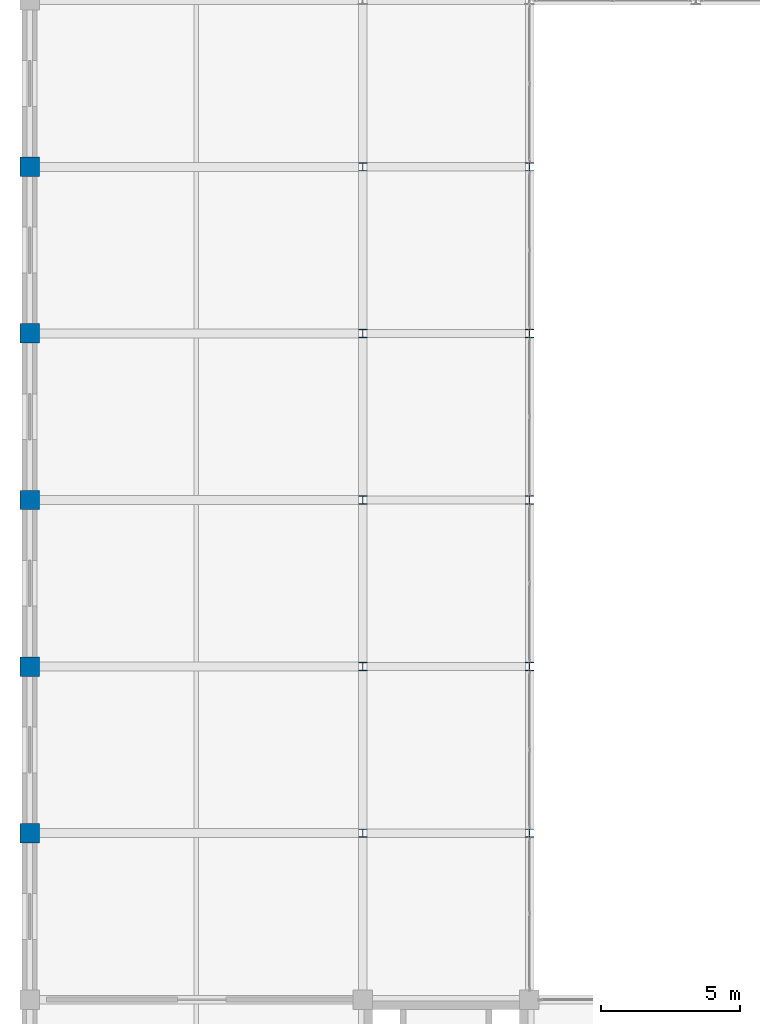
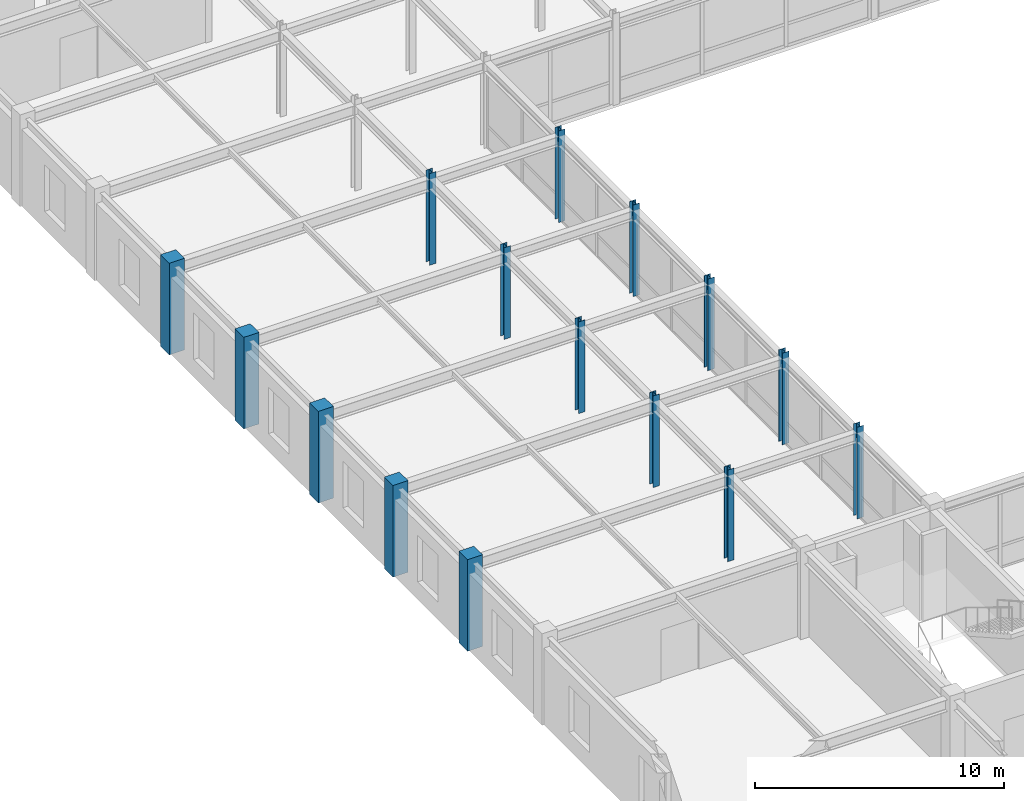
# One storey, part 4 of 108: 15 columns.
"""IFC4 building model written with IfcOpenShell, lengths in metres."""

from ifc_helpers import new_model, si_unit, direction, frame, origin, origin_2d, place, context, subcontext, project, spatial, rectangle, i_section, extrude, material, material_profile, profile_set, type_object, element, save


model = new_model("IFC4")

# Units and contexts
model_context = context("Model", 3, precision=1e-05, world=origin(), true_north=direction((0.0, 1.0)))
body_context = subcontext(model_context, "Body", "Model", "MODEL_VIEW")
ifc_project = project(units=[si_unit("LENGTHUNIT", "METRE"), si_unit("AREAUNIT", "SQUARE_METRE"), si_unit("VOLUMEUNIT", "CUBIC_METRE"), si_unit("PLANEANGLEUNIT", "RADIAN"), si_unit("MASSUNIT", "GRAM", prefix="KILO")], contexts=[model_context])

# Site, building, storey
site_placement = place(None, origin())
site = spatial("IfcSite", under=ifc_project, at=site_placement, CompositionType="ELEMENT")
building_placement = place(site_placement, origin())
building = spatial("IfcBuilding", under=site, at=building_placement, Name="Zlatovratsky Civic Hall", CompositionType="ELEMENT")
storey_placement = place(building_placement, frame((0.0, 0.0, 12.0)))
storey = spatial("IfcBuildingStorey", under=building, at=storey_placement, Name="L03", CompositionType="ELEMENT", Elevation=12.0)

# Columns
ifc_material_1 = material(Name="Concrete C35/45 (B40)", Category="concrete")
ifc_material_profile_1 = material_profile(ifc_material_1, rectangle(XDim=0.699951171875, YDim=0.699951171875, at=origin_2d()), Name="RC 700x700")
ifc_profile_set_1 = profile_set([ifc_material_profile_1], Name="Concrete C35/45 (B40)")
column_type_1 = type_object("IfcColumnType", Name="Col_CorePier_RC700", PredefinedType="COLUMN", material=ifc_profile_set_1)
for number, where, z_axis, x_axis, name in (
    (1, (0.0, 36.0, 0.0), (0.0, 0.0, 1.0), (1.0, 0.0, 0.0), "CL-1269"),
    (2, (0.0, 42.0, 0.0), (0.0, 0.0, 1.0), (1.0, 0.0, 0.0), "CL-1288"),
    (3, (0.0, 48.0, 0.0), (0.0, 0.0, 1.0), (1.0, 0.0, 0.0), "CL-1307"),
    (4, (0.0, 54.0, 0.0), (0.0, 0.0, 1.0), (1.0, 0.0, 0.0), "CL-1321"),
    (5, (0.0, 60.0, 0.0), (0.0, 0.0, 1.0), (1.0, 0.0, 0.0), "CL-1335"),
):
    element("IfcColumn", number, at=place(storey_placement, frame(where, z_axis=z_axis, x_axis=x_axis)), inside=storey, type_object=column_type_1, Name=name, PredefinedType="COLUMN", context=body_context, shape_type="SweptSolid", body=[
        extrude(rectangle(XDim=0.699951171875, YDim=0.699951171875, at=origin_2d()), origin(), (0.0, 0.0, 1.0), 4.5),
    ])
ifc_material_2 = material(Name="Steel S355", Category="steel")
ifc_material_profile_2 = material_profile(ifc_material_2, i_section(OverallWidth=0.299072265625, OverallDepth=0.2958984375, WebThickness=0.009033203125, FlangeThickness=0.013916015625, FilletRadius=0.01806640625, at=origin_2d()), Name="30K1")
ifc_profile_set_2 = profile_set([ifc_material_profile_2], Name="Steel S355")
column_type_2 = type_object("IfcColumnType", Name="Col_Steel_30K1", PredefinedType="COLUMN", material=ifc_profile_set_2)
for number, where, z_axis, x_axis, name in (
    (6, (12.0, 36.0, 0.0), (0.0, 0.0, 1.0), (1.0, 0.0, 0.0), "CL-1270"),
    (7, (18.0, 36.0, 0.0), (0.0, 0.0, 1.0), (1.0, 0.0, 0.0), "CL-1271"),
    (8, (12.0, 42.0, 0.0), (0.0, 0.0, 1.0), (1.0, 0.0, 0.0), "CL-1289"),
    (9, (18.0, 42.0, 0.0), (0.0, 0.0, 1.0), (1.0, 0.0, 0.0), "CL-1290"),
    (10, (12.0, 48.0, 0.0), (0.0, 0.0, 1.0), (1.0, 0.0, 0.0), "CL-1308"),
    (11, (18.0, 48.0, 0.0), (0.0, 0.0, 1.0), (1.0, 0.0, 0.0), "CL-1309"),
    (12, (12.0, 54.0, 0.0), (0.0, 0.0, 1.0), (1.0, 0.0, 0.0), "CL-1322"),
    (13, (18.0, 54.0, 0.0), (0.0, 0.0, 1.0), (1.0, 0.0, 0.0), "CL-1323"),
    (14, (12.0, 60.0, 0.0), (0.0, 0.0, 1.0), (1.0, 0.0, 0.0), "CL-1336"),
    (15, (18.0, 60.0, 0.0), (0.0, 0.0, 1.0), (1.0, 0.0, 0.0), "CL-1337"),
):
    element("IfcColumn", number, at=place(storey_placement, frame(where, z_axis=z_axis, x_axis=x_axis)), inside=storey, type_object=column_type_2, Name=name, PredefinedType="COLUMN", context=body_context, shape_type="SweptSolid", body=[
        extrude(i_section(OverallWidth=0.299072265625, OverallDepth=0.2958984375, WebThickness=0.009033203125, FlangeThickness=0.013916015625, FilletRadius=0.01806640625, at=origin_2d()), origin(), (0.0, 0.0, 1.0), 4.5),
    ])

save(model, "model.ifc")
